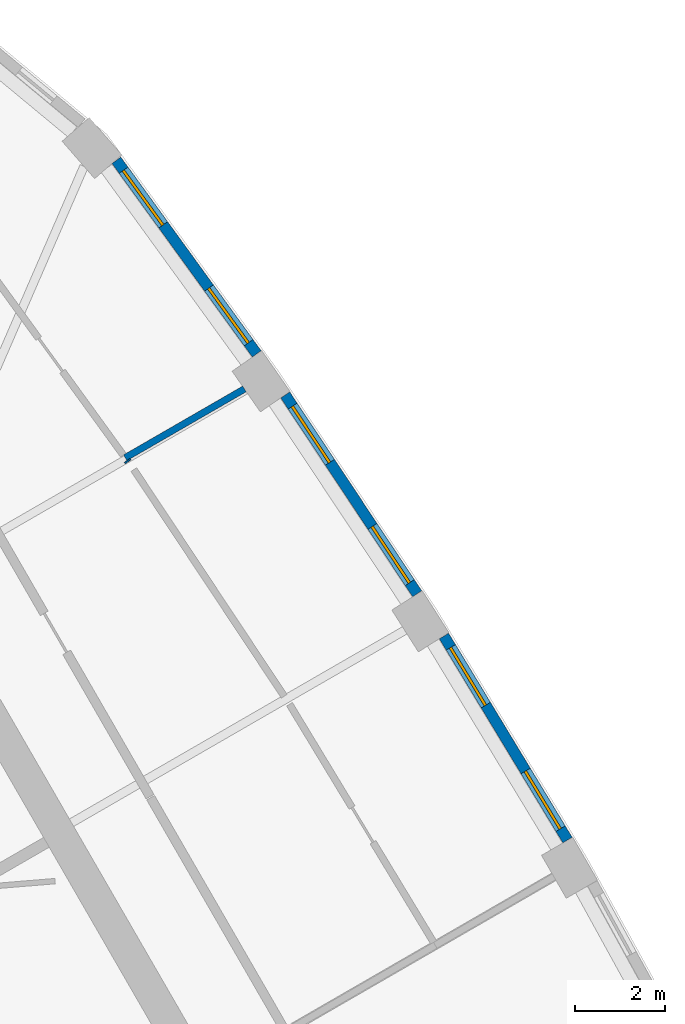
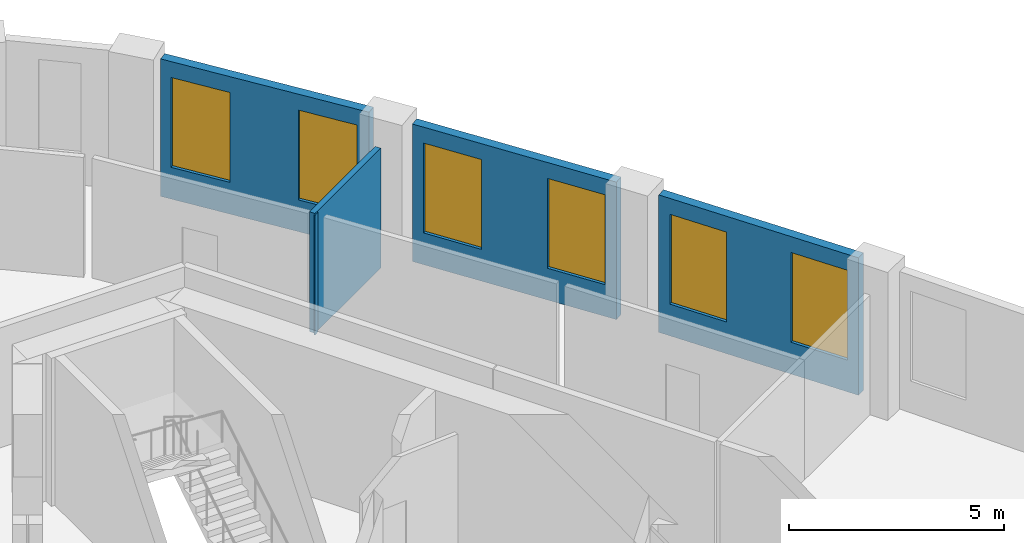
# One storey, part 9 of 11: 6 windows, 5 walls, 6 openings.
"""IFC4 building model written with IfcOpenShell, lengths in metres."""

from ifc_helpers import new_model, si_unit, direction, frame, frame_2d, origin, place, context, subcontext, project, spatial, rectangle, extrude, material, layer, layer_set, type_object, element, fill, save


model = new_model("IFC4")

# Units and contexts
model_context = context("Model", 3, precision=1e-05, world=origin(), true_north=direction((0.0, 1.0)))
body_context = subcontext(model_context, "Body", "Model", "MODEL_VIEW")
ifc_project = project(units=[si_unit("LENGTHUNIT", "METRE"), si_unit("AREAUNIT", "SQUARE_METRE"), si_unit("VOLUMEUNIT", "CUBIC_METRE"), si_unit("PLANEANGLEUNIT", "RADIAN"), si_unit("MASSUNIT", "GRAM", prefix="KILO")], contexts=[model_context])

# Site, building, storey
site_placement = place(None, origin())
site = spatial("IfcSite", under=ifc_project, at=site_placement, CompositionType="ELEMENT")
building_placement = place(site_placement, origin())
building = spatial("IfcBuilding", under=site, at=building_placement, Name="Mestral Congress Tower", CompositionType="ELEMENT")
storey_placement = place(building_placement, frame((0.0, 0.0, 252.0)))
storey = spatial("IfcBuildingStorey", under=building, at=storey_placement, Name="L59", CompositionType="ELEMENT", Elevation=252.0)

# Wall, openings, windows
ifc_material_1 = material(Name="Precast concrete C40/50 with limestone facing", Category="masonry")
ifc_layer_1 = layer(ifc_material_1, 0.239990234375)
ifc_layer_set_1 = layer_set([ifc_layer_1], Name="Precast concrete C40/50 with limestone facing")
wall_type_1 = type_object("IfcWallType", Name="Facade stone wall 240", PredefinedType="SOLIDWALL", material=ifc_layer_set_1)
wall_1_placement = place(storey_placement, frame((16.78173828125, 10.331298828125, 0.0), z_axis=(0.0, 0.0, 1.0), x_axis=(-0.517846166225, 0.855473756538, 0.0)))
wall_1 = element("IfcWall", 1, at=wall_1_placement, inside=storey, type_object=wall_type_1, Name="Facade wall F1-03", PredefinedType="SOLIDWALL", context=body_context, shape_type="SweptSolid", body=[
    extrude(rectangle(XDim=5.298095703125, YDim=0.239990234375, at=frame_2d((2.64892578125, 0.0))), origin(), (0.0, 0.0, 1.0), 3.89990234375),
])
opening_1_placement = place(wall_1_placement, frame((0.29443359375, 0.0, 0.89990234375)))
opening_1 = element("IfcOpeningElement", 2, at=opening_1_placement, cuts=wall_1, Name="Opening W4", PredefinedType="OPENING", context=body_context, shape_type="SweptSolid", body=[
    extrude(rectangle(XDim=1.5, YDim=2.550048828125, at=frame_2d((0.75, 1.27490234375))), frame((0.0, 0.1298828125, 0.0), z_axis=(0.0, -1.0, 0.0), x_axis=(1.0, 0.0, 0.0)), (0.0, 0.0, 1.0), 0.260009765625),
])
opening_2_placement = place(wall_1_placement, frame((3.503662109375, 0.0, 0.89990234375)))
opening_2 = element("IfcOpeningElement", 3, at=opening_2_placement, cuts=wall_1, Name="Opening W4", PredefinedType="OPENING", context=body_context, shape_type="SweptSolid", body=[
    extrude(rectangle(XDim=1.5, YDim=2.550048828125, at=frame_2d((0.75, 1.27490234375))), frame((0.0, 0.1298828125, 0.0), z_axis=(0.0, -1.0, 0.0), x_axis=(1.0, 0.0, 0.0)), (0.0, 0.0, 1.0), 0.260009765625),
])
ifc_material_2 = material(Name="Clear low-emissivity double glazing", Category="glass")
window_type = type_object("IfcWindowType", Name="Facade punched window 1500 x 2550 sill 900", PartitioningType="SINGLE_PANEL", PredefinedType="WINDOW", material=ifc_material_2)
window_1_placement = place(opening_1_placement, origin())
window_1 = element("IfcWindow", 4, at=window_1_placement, inside=storey, type_object=window_type, Name="Window F1-03a", OverallHeight=2.550048828125, OverallWidth=1.5, PartitioningType="SINGLE_PANEL", PredefinedType="WINDOW", context=body_context, shape_type="SweptSolid", body=[
    extrude(rectangle(XDim=1.5, YDim=2.550048828125, at=frame_2d((0.75, 1.27490234375))), frame((0.0, 0.0400390625, 0.0), z_axis=(0.0, -1.0, 0.0), x_axis=(1.0, 0.0, 0.0)), (0.0, 0.0, 1.0), 0.06005859375),
])
fill(opening_1, window_1)
window_2_placement = place(opening_2_placement, origin())
window_2 = element("IfcWindow", 5, at=window_2_placement, inside=storey, type_object=window_type, Name="Window F1-03b", OverallHeight=2.550048828125, OverallWidth=1.5, PartitioningType="SINGLE_PANEL", PredefinedType="WINDOW", context=body_context, shape_type="SweptSolid", body=[
    extrude(rectangle(XDim=1.5, YDim=2.550048828125, at=frame_2d((0.75, 1.27490234375))), frame((0.0, 0.0400390625, 0.0), z_axis=(0.0, -1.0, 0.0), x_axis=(1.0, 0.0, 0.0)), (0.0, 0.0, 1.0), 0.06005859375),
])
fill(opening_2, window_2)

wall_2_placement = place(storey_placement, frame((13.442138671875, 15.803466796875, 0.0), z_axis=(0.0, 0.0, 1.0), x_axis=(-0.552901821755, 0.833246407433, 0.0)))
wall_2 = element("IfcWall", 6, at=wall_2_placement, inside=storey, type_object=wall_type_1, Name="Facade wall F1-04", PredefinedType="SOLIDWALL", context=body_context, shape_type="SweptSolid", body=[
    extrude(rectangle(XDim=5.29833984375, YDim=0.239990234375, at=frame_2d((2.649169921875, 0.0))), origin(), (0.0, 0.0, 1.0), 3.89990234375),
])
opening_3_placement = place(wall_2_placement, frame((0.294677734375, 0.0, 0.89990234375)))
opening_3 = element("IfcOpeningElement", 7, at=opening_3_placement, cuts=wall_2, Name="Opening W4", PredefinedType="OPENING", context=body_context, shape_type="SweptSolid", body=[
    extrude(rectangle(XDim=1.5, YDim=2.550048828125, at=frame_2d((0.75, 1.27490234375))), frame((0.0, 0.1298828125, 0.0), z_axis=(0.0, -1.0, 0.0), x_axis=(1.0, 0.0, 0.0)), (0.0, 0.0, 1.0), 0.260009765625),
])
opening_4_placement = place(wall_2_placement, frame((3.50390625, 0.0, 0.89990234375)))
opening_4 = element("IfcOpeningElement", 8, at=opening_4_placement, cuts=wall_2, Name="Opening W4", PredefinedType="OPENING", context=body_context, shape_type="SweptSolid", body=[
    extrude(rectangle(XDim=1.5, YDim=2.550048828125, at=frame_2d((0.75, 1.27490234375))), frame((0.0, 0.1298828125, 0.0), z_axis=(0.0, -1.0, 0.0), x_axis=(1.0, 0.0, 0.0)), (0.0, 0.0, 1.0), 0.260009765625),
])
window_3_placement = place(opening_3_placement, origin())
window_3 = element("IfcWindow", 9, at=window_3_placement, inside=storey, type_object=window_type, Name="Window F1-04a", OverallHeight=2.550048828125, OverallWidth=1.5, PartitioningType="SINGLE_PANEL", PredefinedType="WINDOW", context=body_context, shape_type="SweptSolid", body=[
    extrude(rectangle(XDim=1.5, YDim=2.550048828125, at=frame_2d((0.75, 1.27490234375))), frame((0.0, 0.0400390625, 0.0), z_axis=(0.0, -1.0, 0.0), x_axis=(1.0, 0.0, 0.0)), (0.0, 0.0, 1.0), 0.06005859375),
])
fill(opening_3, window_3)
window_4_placement = place(opening_4_placement, origin())
window_4 = element("IfcWindow", 10, at=window_4_placement, inside=storey, type_object=window_type, Name="Window F1-04b", OverallHeight=2.550048828125, OverallWidth=1.5, PartitioningType="SINGLE_PANEL", PredefinedType="WINDOW", context=body_context, shape_type="SweptSolid", body=[
    extrude(rectangle(XDim=1.5, YDim=2.550048828125, at=frame_2d((0.75, 1.27490234375))), frame((0.0, 0.0400390625, 0.0), z_axis=(0.0, -1.0, 0.0), x_axis=(1.0, 0.0, 0.0)), (0.0, 0.0, 1.0), 0.06005859375),
])
fill(opening_4, window_4)

wall_3_placement = place(storey_placement, frame((9.87841796875, 21.13232421875, 0.0), z_axis=(0.0, 0.0, 1.0), x_axis=(-0.586998456641, 0.80958805074, 0.0)))
wall_3 = element("IfcWall", 11, at=wall_3_placement, inside=storey, type_object=wall_type_1, Name="Facade wall F1-05", PredefinedType="SOLIDWALL", context=body_context, shape_type="SweptSolid", body=[
    extrude(rectangle(XDim=5.310791015625, YDim=0.239990234375, at=frame_2d((2.6552734375, 0.0))), origin(), (0.0, 0.0, 1.0), 3.89990234375),
])
opening_5_placement = place(wall_3_placement, frame((0.306396484375, 0.0, 0.89990234375)))
opening_5 = element("IfcOpeningElement", 12, at=opening_5_placement, cuts=wall_3, Name="Opening W4", PredefinedType="OPENING", context=body_context, shape_type="SweptSolid", body=[
    extrude(rectangle(XDim=1.5, YDim=2.550048828125, at=frame_2d((0.75, 1.27490234375))), frame((0.0, 0.1298828125, 0.0), z_axis=(0.0, -1.0, 0.0), x_axis=(1.0, 0.0, 0.0)), (0.0, 0.0, 1.0), 0.260009765625),
])
opening_6_placement = place(wall_3_placement, frame((3.539306640625, 0.0, 0.89990234375)))
opening_6 = element("IfcOpeningElement", 13, at=opening_6_placement, cuts=wall_3, Name="Opening W4", PredefinedType="OPENING", context=body_context, shape_type="SweptSolid", body=[
    extrude(rectangle(XDim=1.5, YDim=2.550048828125, at=frame_2d((0.75, 1.27490234375))), frame((0.0, 0.1298828125, 0.0), z_axis=(0.0, -1.0, 0.0), x_axis=(1.0, 0.0, 0.0)), (0.0, 0.0, 1.0), 0.260009765625),
])
window_5_placement = place(opening_5_placement, origin())
window_5 = element("IfcWindow", 14, at=window_5_placement, inside=storey, type_object=window_type, Name="Window F1-05a", OverallHeight=2.550048828125, OverallWidth=1.5, PartitioningType="SINGLE_PANEL", PredefinedType="WINDOW", context=body_context, shape_type="SweptSolid", body=[
    extrude(rectangle(XDim=1.5, YDim=2.550048828125, at=frame_2d((0.75, 1.27490234375))), frame((0.0, 0.0400390625, 0.0), z_axis=(0.0, -1.0, 0.0), x_axis=(1.0, 0.0, 0.0)), (0.0, 0.0, 1.0), 0.06005859375),
])
fill(opening_5, window_5)
window_6_placement = place(opening_6_placement, origin())
window_6 = element("IfcWindow", 15, at=window_6_placement, inside=storey, type_object=window_type, Name="Window F1-05b", OverallHeight=2.550048828125, OverallWidth=1.5, PartitioningType="SINGLE_PANEL", PredefinedType="WINDOW", context=body_context, shape_type="SweptSolid", body=[
    extrude(rectangle(XDim=1.5, YDim=2.550048828125, at=frame_2d((0.75, 1.27490234375))), frame((0.0, 0.0400390625, 0.0), z_axis=(0.0, -1.0, 0.0), x_axis=(1.0, 0.0, 0.0)), (0.0, 0.0, 1.0), 0.06005859375),
])
fill(opening_6, window_6)

# Walls
ifc_material_3 = material(Name="Plasterboard partition on steel studs", Category="steel")
ifc_layer_2 = layer(ifc_material_3, 0.14990234375)
ifc_layer_set_2 = layer_set([ifc_layer_2], Name="Plasterboard partition on steel studs")
wall_type_2 = type_object("IfcWallType", Name="Office partition 150", PredefinedType="PARTITIONING", material=ifc_layer_set_2)
wall_4_placement = place(storey_placement, frame((6.957763671875, 18.8232421875, 0.0), z_axis=(0.0, 0.0, 1.0), x_axis=(0.866008752819, 0.500028839209, 0.0)))
element("IfcWall", 16, at=wall_4_placement, inside=storey, type_object=wall_type_2, Name="Partition", PredefinedType="PARTITIONING", context=body_context, shape_type="SweptSolid", body=[
    extrude(rectangle(XDim=3.057861328125, YDim=0.14990234375, at=frame_2d((1.52880859375, 0.0))), origin(), (0.0, 0.0, 1.0), 3.39990234375),
])
wall_5_placement = place(storey_placement, frame((7.022216796875, 18.734130859375, 0.0), z_axis=(0.0, 0.0, 1.0), x_axis=(-0.585233084123, 0.810865116556, 0.0)))
element("IfcWall", 17, at=wall_5_placement, inside=storey, type_object=wall_type_2, Name="Partition", PredefinedType="PARTITIONING", context=body_context, shape_type="SweptSolid", body=[
    extrude(rectangle(XDim=0.03466796875, YDim=0.14990234375, at=frame_2d((0.017333984375, 0.0))), origin(), (0.0, 0.0, 1.0), 3.39990234375),
])

save(model, "model.ifc")
